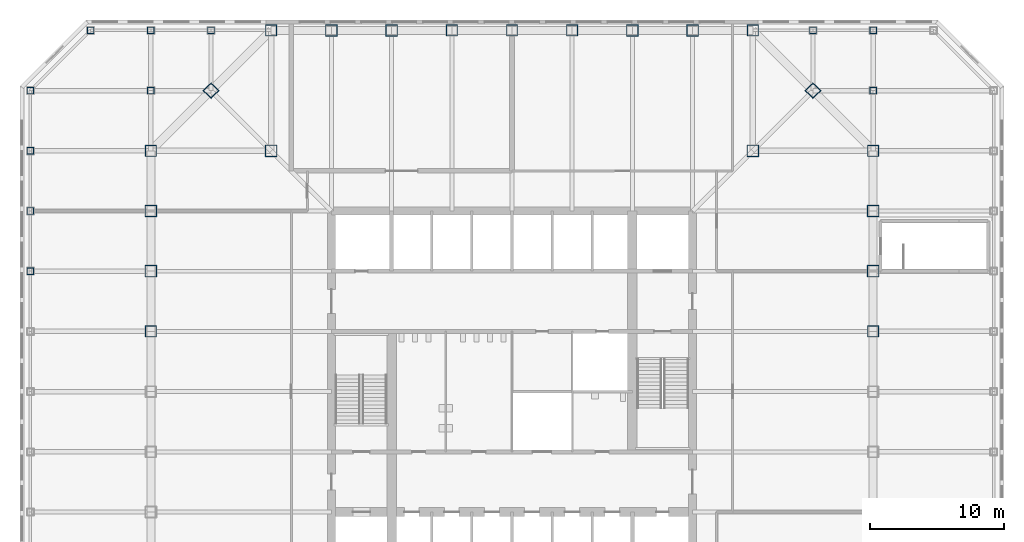
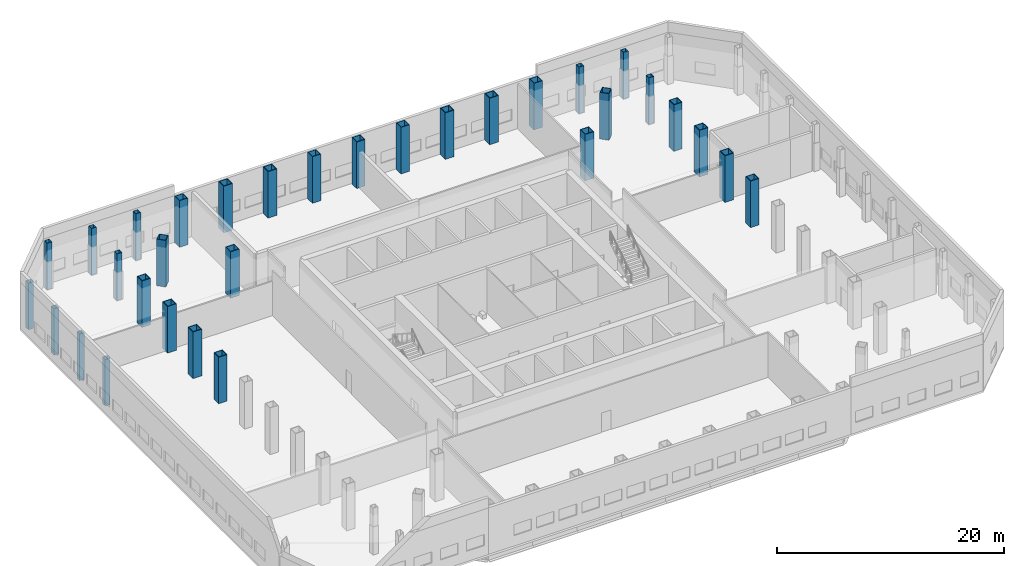
# One storey, part 2 of 14: 32 columns.
"""IFC4 building model written with IfcOpenShell, lengths in metres."""

from ifc_helpers import new_model, si_unit, direction, frame, origin, origin_2d, place, context, subcontext, project, spatial, hollow_rectangle, extrude, material, material_profile, profile_set, type_object, element, save


model = new_model("IFC4")

# Units and contexts
model_context = context("Model", 3, precision=1e-05, world=origin(), true_north=direction((0.0, 1.0)))
body_context = subcontext(model_context, "Body", "Model", "MODEL_VIEW")
ifc_project = project(units=[si_unit("LENGTHUNIT", "METRE"), si_unit("AREAUNIT", "SQUARE_METRE"), si_unit("VOLUMEUNIT", "CUBIC_METRE"), si_unit("PLANEANGLEUNIT", "RADIAN"), si_unit("MASSUNIT", "GRAM", prefix="KILO")], contexts=[model_context])

# Site, building, storey
site_placement = place(None, origin())
site = spatial("IfcSite", under=ifc_project, at=site_placement, CompositionType="ELEMENT")
building_placement = place(site_placement, origin())
building = spatial("IfcBuilding", under=site, at=building_placement, Name="Corais Broadcast Tower", CompositionType="ELEMENT")
storey_placement = place(building_placement, frame((0.0, 0.0, 18.0)))
storey = spatial("IfcBuildingStorey", under=building, at=storey_placement, Name="L03", CompositionType="ELEMENT", Elevation=18.0)

# Columns
ifc_material_1 = material(Name="Steel ASTM A572 Grade 50", Category="steel")
ifc_material_profile_1 = material_profile(ifc_material_1, hollow_rectangle(XDim=0.5, YDim=0.5, WallThickness=0.02197265625, at=origin_2d()), Name="BOX 500x500x22")
ifc_profile_set_1 = profile_set([ifc_material_profile_1], Name="Steel ASTM A572 Grade 50")
column_type_1 = type_object("IfcColumnType", Name="Column BOX 500x500x22", PredefinedType="COLUMN", material=ifc_profile_set_1)
for number, where, z_axis, x_axis, name in (
    (1, (-9.0, 36.0, 0.0), (0.0, 0.0, 1.0), (1.0, 0.0, 0.0), "C9 J/1"),
    (2, (-9.0, 40.5, 0.0), (0.0, 0.0, 1.0), (1.0, 0.0, 0.0), "C9 K/1"),
    (3, (-9.0, 45.0, 0.0), (0.0, 0.0, 1.0), (1.0, 0.0, 0.0), "C9 L/1"),
    (4, (-9.0, 49.5, 0.0), (0.0, 0.0, 1.0), (1.0, 0.0, 0.0), "C9 M/1"),
    (5, (-4.5, 54.0, 0.0), (0.0, 0.0, 1.0), (1.0, 0.0, 0.0), "C9 N/2"),
    (6, (54.0, 54.0, 0.0), (0.0, 0.0, 1.0), (1.0, 0.0, 0.0), "C9 N/15"),
    (7, (49.5, 54.0, 0.0), (0.0, 0.0, 1.0), (1.0, 0.0, 0.0), "C9 N/14"),
    (8, (54.0, 49.5, 0.0), (0.0, 0.0, 1.0), (1.0, 0.0, 0.0), "C9 M/15"),
    (9, (0.0, 54.0, 0.0), (0.0, 0.0, 1.0), (1.0, 0.0, 0.0), "C9 N/3"),
    (10, (4.5, 54.0, 0.0), (0.0, 0.0, 1.0), (1.0, 0.0, 0.0), "C9 N/4"),
    (11, (0.0, 49.5, 0.0), (0.0, 0.0, 1.0), (1.0, 0.0, 0.0), "C9 M/3"),
):
    element("IfcColumn", number, at=place(storey_placement, frame(where, z_axis=z_axis, x_axis=x_axis)), inside=storey, type_object=column_type_1, Name=name, PredefinedType="COLUMN", context=body_context, shape_type="SweptSolid", body=[
        extrude(hollow_rectangle(XDim=0.5, YDim=0.5, WallThickness=0.02197265625, at=origin_2d()), origin(), (0.0, 0.0, 1.0), 5.0),
    ])
ifc_material_2 = material(Name="Steel ASTM A572 Grade 50", Category="steel")
ifc_material_profile_2 = material_profile(ifc_material_2, hollow_rectangle(XDim=0.85009765625, YDim=0.85009765625, WallThickness=0.050048828125, at=origin_2d()), Name="BOX 850x850x50")
ifc_profile_set_2 = profile_set([ifc_material_profile_2], Name="Steel ASTM A572 Grade 50")
column_type_2 = type_object("IfcColumnType", Name="Column BOX 850x850x50", PredefinedType="COLUMN", material=ifc_profile_set_2)
for number, where, z_axis, x_axis, name in (
    (12, (54.0, 31.5, 0.0), (0.0, 0.0, 1.0), (1.0, 0.0, 0.0), "C1 H/15"),
    (13, (54.0, 45.0, 0.0), (0.0, 0.0, 1.0), (1.0, 0.0, 0.0), "C1 L/15"),
    (14, (45.0, 54.0, 0.0), (0.0, 0.0, 1.0), (1.0, 0.0, 0.0), "C1 N/13"),
    (15, (31.5, 54.0, 0.0), (0.0, 0.0, 1.0), (1.0, 0.0, 0.0), "C1 N/10"),
    (16, (27.0, 54.0, 0.0), (0.0, 0.0, 1.0), (1.0, 0.0, 0.0), "C1 N/9"),
    (17, (22.5, 54.0, 0.0), (0.0, 0.0, 1.0), (1.0, 0.0, 0.0), "C1 N/8"),
    (18, (9.0, 54.0, 0.0), (0.0, 0.0, 1.0), (1.0, 0.0, 0.0), "C1 N/5"),
    (19, (0.0, 45.0, 0.0), (0.0, 0.0, 1.0), (1.0, 0.0, 0.0), "C1 L/3"),
    (20, (0.0, 31.5, 0.0), (0.0, 0.0, 1.0), (1.0, 0.0, 0.0), "C1 H/3"),
    (21, (49.5, 49.5, 0.0), (0.0, 0.0, 1.0), (0.707106781187, 0.707106781187, 0.0), "C1 M/14"),
    (22, (4.5, 49.5, 0.0), (0.0, 0.0, 1.0), (0.707106781187, 0.707106781187, 0.0), "C1 M/4"),
):
    element("IfcColumn", number, at=place(storey_placement, frame(where, z_axis=z_axis, x_axis=x_axis)), inside=storey, type_object=column_type_2, Name=name, PredefinedType="COLUMN", context=body_context, shape_type="SweptSolid", body=[
        extrude(hollow_rectangle(XDim=0.85009765625, YDim=0.85009765625, WallThickness=0.050048828125, at=origin_2d()), origin(), (0.0, 0.0, 1.0), 5.0),
    ])
ifc_material_3 = material(Name="Steel ASTM A572 Grade 50", Category="steel")
ifc_material_profile_3 = material_profile(ifc_material_3, hollow_rectangle(XDim=0.89990234375, YDim=0.89990234375, WallThickness=0.06298828125, at=origin_2d()), Name="BOX 900x900x63")
ifc_profile_set_3 = profile_set([ifc_material_profile_3], Name="Steel ASTM A572 Grade 50")
column_type_3 = type_object("IfcColumnType", Name="Column BOX 900x900x63", PredefinedType="COLUMN", material=ifc_profile_set_3)
for number, where, z_axis, x_axis, name in (
    (23, (54.0, 36.0, 0.0), (0.0, 0.0, 1.0), (1.0, 0.0, 0.0), "C2 J/15"),
    (24, (54.0, 40.5, 0.0), (0.0, 0.0, 1.0), (1.0, 0.0, 0.0), "C2 K/15"),
    (25, (40.5, 54.0, 0.0), (0.0, 0.0, 1.0), (1.0, 0.0, 0.0), "C2 N/12"),
    (26, (36.0, 54.0, 0.0), (0.0, 0.0, 1.0), (1.0, 0.0, 0.0), "C2 N/11"),
    (27, (18.0, 54.0, 0.0), (0.0, 0.0, 1.0), (1.0, 0.0, 0.0), "C2 N/7"),
    (28, (13.5, 54.0, 0.0), (0.0, 0.0, 1.0), (1.0, 0.0, 0.0), "C2 N/6"),
    (29, (0.0, 40.5, 0.0), (0.0, 0.0, 1.0), (1.0, 0.0, 0.0), "C2 K/3"),
    (30, (0.0, 36.0, 0.0), (0.0, 0.0, 1.0), (1.0, 0.0, 0.0), "C2 J/3"),
    (31, (45.0, 45.0, 0.0), (0.0, 0.0, 1.0), (1.0, 0.0, 0.0), "C2 L/13"),
    (32, (9.0, 45.0, 0.0), (0.0, 0.0, 1.0), (1.0, 0.0, 0.0), "C2 L/5"),
):
    element("IfcColumn", number, at=place(storey_placement, frame(where, z_axis=z_axis, x_axis=x_axis)), inside=storey, type_object=column_type_3, Name=name, PredefinedType="COLUMN", context=body_context, shape_type="SweptSolid", body=[
        extrude(hollow_rectangle(XDim=0.89990234375, YDim=0.89990234375, WallThickness=0.06298828125, at=origin_2d()), origin(), (0.0, 0.0, 1.0), 5.0),
    ])

save(model, "model.ifc")
